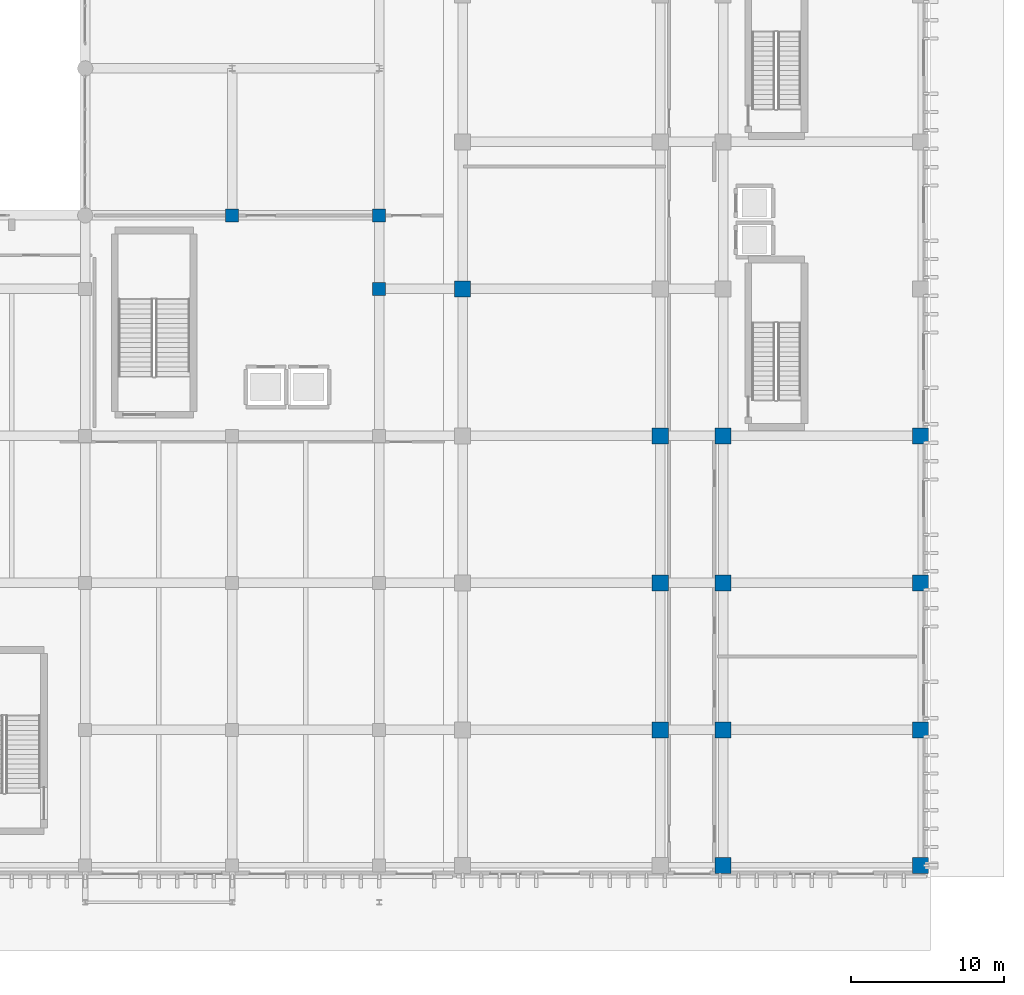
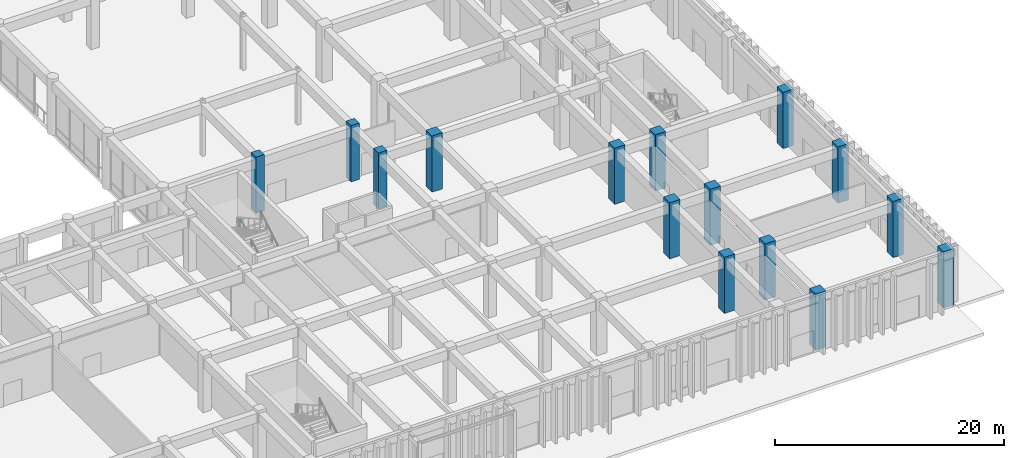
# One storey, part 8 of 87: 15 columns.
"""IFC4 building model written with IfcOpenShell, lengths in metres."""

import ifcopenshell
import ifcopenshell.guid

model = None  # the IFC model being written
_history = None  # IfcOwnerHistory: only IFC2X3 demands one
_inside = {}  # id of a spatial element -> (the spatial element, [elements in it])
_under = {}  # id of a project, library or spatial element -> (it, [spatial elements below it])
_declared = {}  # id of a project -> (the project, [libraries it declares])
_typed = {}  # id of a type object -> (the type object, [elements of that type])
_made_of = {}  # id of a material, layer set ... -> (it, [elements and type objects made of it])


def new_model(schema):
    """Start an empty IFC model of exactly this schema.

    Asked for "IFC4X3", IfcOpenShell would pick the latest addendum, in which some entities
    have other attributes; the version numbers below select the first issue.
    IFC2X3 requires an IfcOwnerHistory on every rooted entity: one is made here for all.
    """
    global model, _history
    if schema == "IFC4X3":
        model = ifcopenshell.file(schema_version=(4, 3, 0, 0))
    else:
        model = ifcopenshell.file(schema=schema)
    _inside.clear()
    _under.clear()
    _declared.clear()
    _typed.clear()
    _made_of.clear()
    _history = None
    if model.schema == "IFC2X3":
        org = make("IfcOrganization", Name="unknown")
        user = make(
            "IfcPersonAndOrganization",
            ThePerson=make("IfcPerson", FamilyName="unknown"),
            TheOrganization=org,
        )
        app = make(
            "IfcApplication",
            ApplicationDeveloper=org,
            Version="unknown",
            ApplicationFullName="unknown",
            ApplicationIdentifier="unknown",
        )
        _history = make(
            "IfcOwnerHistory",
            OwningUser=user,
            OwningApplication=app,
            ChangeAction="ADDED",
            CreationDate=0,
        )
    return model


def make(cls, **values):
    """One entity of the class cls with the attributes given. An attribute that is None is left unset."""
    return model.create_entity(
        cls, **{name: value for name, value in values.items() if value is not None}
    )


def rooted(cls, **values):
    """An entity with a GlobalId (a new one), such as an element, a storey or a relation."""
    return make(cls, GlobalId=ifcopenshell.guid.new(), OwnerHistory=_history, **values)


def si_unit(unit_type, name, prefix=None):
    """IfcSIUnit, for example si_unit("LENGTHUNIT", "METRE", prefix="MILLI")."""
    return make("IfcSIUnit", UnitType=unit_type, Prefix=prefix, Name=name)


def assignment(units):
    """IfcUnitAssignment: the units of a project."""
    return None if units is None else make("IfcUnitAssignment", Units=units)


def point(xyz):
    """IfcCartesianPoint."""
    return None if xyz is None else make("IfcCartesianPoint", Coordinates=xyz)


def direction(xyz):
    """IfcDirection."""
    return None if xyz is None else make("IfcDirection", DirectionRatios=xyz)


def frame(location, z_axis=None, x_axis=None):
    """IfcAxis2Placement3D, a coordinate frame: its origin and axes. An axis left out is left unset."""
    return make(
        "IfcAxis2Placement3D",
        Location=point(location),
        Axis=direction(z_axis),
        RefDirection=direction(x_axis),
    )


def frame_2d(location, x_axis=None):
    """IfcAxis2Placement2D, a coordinate frame in the plane: its origin and x axis."""
    return make(
        "IfcAxis2Placement2D", Location=point(location), RefDirection=direction(x_axis)
    )


def origin():
    """The frame at (0, 0, 0) with its axes left unset."""
    return frame((0.0, 0.0, 0.0))


def origin_2d():
    """The frame at (0, 0) in the plane with its x axis left unset."""
    return frame_2d((0.0, 0.0))


def place(relative_to, where):
    """IfcLocalPlacement: puts the frame where relative to a parent placement (None: the world)."""
    return make(
        "IfcLocalPlacement", PlacementRelTo=relative_to, RelativePlacement=where
    )


def context(
    kind, dimensions, precision=None, world=None, true_north=None, identifier=None
):
    """IfcGeometricRepresentationContext, for example the 3D "Model" context."""
    return make(
        "IfcGeometricRepresentationContext",
        ContextIdentifier=identifier,
        ContextType=kind,
        CoordinateSpaceDimension=dimensions,
        Precision=precision,
        WorldCoordinateSystem=world,
        TrueNorth=true_north,
    )


def subcontext(parent, identifier, kind, view, scale=None):
    """IfcGeometricRepresentationSubContext, for example "Body" below "Model"."""
    return make(
        "IfcGeometricRepresentationSubContext",
        ContextIdentifier=identifier,
        ContextType=kind,
        ParentContext=parent,
        TargetScale=scale,
        TargetView=view,
    )


def project(units=None, contexts=None):
    """IfcProject with its units and contexts."""
    return rooted(
        "IfcProject",
        Name="project",
        RepresentationContexts=contexts,
        UnitsInContext=assignment(units),
    )


def spatial(cls, under=None, at=None, **own):
    """A site, building, storey or space (cls), placed at a placement, below another one or the project."""
    s = rooted(cls, ObjectPlacement=at, **own)
    if under is not None:
        _under.setdefault(under.id(), (under, []))[1].append(s)
    return s


def profile(cls, at=None, kind="AREA", **sizes):
    """A parametric profile (cls). Its sizes go by their IFC names, for example OverallWidth=200.0."""
    return make(cls, ProfileType=kind, Position=at, **sizes)


def rectangle(**sizes):
    """IfcRectangleProfileDef."""
    return profile("IfcRectangleProfileDef", **sizes)


def extrude(swept, where, along, depth):
    """IfcExtrudedAreaSolid: the profile swept, set in the frame where, extruded along a direction by depth."""
    return make(
        "IfcExtrudedAreaSolid",
        SweptArea=swept,
        Position=where,
        ExtrudedDirection=direction(along),
        Depth=depth,
    )


def shape(context_of_items, identifier, shape_type, items):
    """IfcShapeRepresentation: the items that make up one representation, for example the "Body"."""
    return make(
        "IfcShapeRepresentation",
        ContextOfItems=context_of_items,
        RepresentationIdentifier=identifier,
        RepresentationType=shape_type,
        Items=items,
    )


def material(Name=None, Category=None):
    """IfcMaterial."""
    return make("IfcMaterial", Name=Name, Category=Category)


def material_profile(
    of_material, cross_section, Name=None, Category=None, Priority=None
):
    """IfcMaterialProfile: a cross section and its material."""
    return make(
        "IfcMaterialProfile",
        Name=Name,
        Material=of_material,
        Profile=cross_section,
        Priority=Priority,
        Category=Category,
    )


def profile_set(profiles, Name=None, composite=None):
    """IfcMaterialProfileSet."""
    return make(
        "IfcMaterialProfileSet",
        Name=Name,
        MaterialProfiles=profiles,
        CompositeProfile=composite,
    )


def made_of(thing, what):
    """Note that an element or type object is made of a material, layer set ...; save() writes the relation."""
    if what is not None:
        _made_of.setdefault(what.id(), (what, []))[1].append(thing)
    return thing


def type_object(cls, material=None, **own):
    """A type object (cls), such as IfcWallType, which elements share."""
    return made_of(rooted(cls, **own), material)


def element(
    cls,
    number,
    at=None,
    inside=None,
    cuts=None,
    type_object=None,
    material=None,
    context=None,
    identifier="Body",
    shape_type=None,
    held_by="IfcProductDefinitionShape",
    body=None,
    shapes=None,
    **own,
):
    """One element of the class cls, such as IfcWall. Its Tag is "e" and its number.

    at: its placement. inside: the storey or other place that contains it. cuts: it is an
    opening in that element (IfcRelVoidsElement). A single representation is given by context,
    identifier, shape_type and body (its items); several are given by shapes. held_by: the class
    of the entity that holds the representations. save() writes the other relations.
    """
    e = rooted(cls, Tag="e%d" % number, ObjectPlacement=at, **own)
    if body is not None:
        shapes = [shape(context, identifier, shape_type, body)]
    if shapes is not None:
        e.Representation = make(held_by, Representations=shapes)
    if inside is not None:
        _inside.setdefault(inside.id(), (inside, []))[1].append(e)
    if cuts is not None:
        rooted(
            "IfcRelVoidsElement", RelatingBuildingElement=cuts, RelatedOpeningElement=e
        )
    if type_object is not None:
        _typed.setdefault(type_object.id(), (type_object, []))[1].append(e)
    return made_of(e, material)


def aggregate(whole, parts):
    """IfcRelAggregates: a whole, such as a stair, and the parts it consists of."""
    return rooted("IfcRelAggregates", RelatingObject=whole, RelatedObjects=parts)


def save(model, path):
    """Write the relations noted so far, then the file.

    IfcRelAggregates (storeys below a building ...), IfcRelContainedInSpatialStructure (elements
    in a storey), IfcRelDefinesByType, IfcRelAssociatesMaterial and IfcRelDeclares: one each for
    every whole, place, type object, material and project.
    """
    for whole, parts in _under.values():
        aggregate(whole, parts)
    for where, things in _inside.values():
        rooted(
            "IfcRelContainedInSpatialStructure",
            RelatedElements=things,
            RelatingStructure=where,
        )
    for kind, things in _typed.values():
        rooted("IfcRelDefinesByType", RelatedObjects=things, RelatingType=kind)
    for what, things in _made_of.values():
        rooted("IfcRelAssociatesMaterial", RelatedObjects=things, RelatingMaterial=what)
    for by, libraries in _declared.values():
        rooted("IfcRelDeclares", RelatingContext=by, RelatedDefinitions=libraries)
    model.write(path)


model = new_model("IFC4")

# Units and contexts
model_context = context("Model", 3, precision=1e-05, world=origin(), true_north=direction((0.0, 1.0)))
body_context = subcontext(model_context, "Body", "Model", "MODEL_VIEW")
ifc_project = project(units=[si_unit("LENGTHUNIT", "METRE"), si_unit("AREAUNIT", "SQUARE_METRE"), si_unit("VOLUMEUNIT", "CUBIC_METRE"), si_unit("PLANEANGLEUNIT", "RADIAN"), si_unit("MASSUNIT", "GRAM", prefix="KILO")], contexts=[model_context])

# Site, building, storey
site_placement = place(None, origin())
site = spatial("IfcSite", under=ifc_project, at=site_placement, CompositionType="ELEMENT")
building_placement = place(site_placement, origin())
building = spatial("IfcBuilding", under=site, at=building_placement, Name="Nakhvara Creek Congress Hotel", CompositionType="ELEMENT")
storey_placement = place(building_placement, origin())
storey = spatial("IfcBuildingStorey", under=building, at=storey_placement, Name="L00", CompositionType="ELEMENT", Elevation=0.0)

# Columns
ifc_material = material(Name="Concrete C50/60", Category="concrete")
ifc_material_profile_1 = material_profile(ifc_material, rectangle(XDim=1.050048828125, YDim=1.050048828125, at=origin_2d()), Name="RC-COL 1050x1050", Category="LoadBearing")
ifc_profile_set_1 = profile_set([ifc_material_profile_1], Name="Concrete C50/60")
column_type_1 = type_object("IfcColumnType", Name="COL-RC-1050", PredefinedType="COLUMN", material=ifc_profile_set_1)
for number, where, z_axis, x_axis, name in (
    (1, (149.449951171875, 38.39990234375, 0.0), (0.0, 0.0, 1.0), (1.0, 0.0, 0.0), "Column C16-L00-0760"),
    (2, (162.35009765625, 9.60009765625, 0.0), (0.0, 0.0, 1.0), (1.0, 0.0, 0.0), "Column C16-L00-0771"),
    (3, (162.35009765625, 19.199951171875, 0.0), (0.0, 0.0, 1.0), (1.0, 0.0, 0.0), "Column C16-L00-0772"),
    (4, (162.35009765625, 28.800048828125, 0.0), (0.0, 0.0, 1.0), (1.0, 0.0, 0.0), "Column C16-L00-0773"),
    (5, (166.449951171875, 0.75, 0.0), (0.0, 0.0, 1.0), (1.0, 0.0, 0.0), "Column C16-L00-0784"),
    (6, (166.449951171875, 9.60009765625, 0.0), (0.0, 0.0, 1.0), (1.0, 0.0, 0.0), "Column C16-L00-0785"),
    (7, (166.449951171875, 19.199951171875, 0.0), (0.0, 0.0, 1.0), (1.0, 0.0, 0.0), "Column C16-L00-0786"),
    (8, (166.449951171875, 28.800048828125, 0.0), (0.0, 0.0, 1.0), (1.0, 0.0, 0.0), "Column C16-L00-0787"),
    (9, (179.35009765625, 0.75, 0.0), (0.0, 0.0, 1.0), (1.0, 0.0, 0.0), "Column C16-L00-0798"),
    (10, (179.35009765625, 9.60009765625, 0.0), (0.0, 0.0, 1.0), (1.0, 0.0, 0.0), "Column C16-L00-0799"),
    (11, (179.35009765625, 19.199951171875, 0.0), (0.0, 0.0, 1.0), (1.0, 0.0, 0.0), "Column C16-L00-0800"),
    (12, (179.35009765625, 28.800048828125, 0.0), (0.0, 0.0, 1.0), (1.0, 0.0, 0.0), "Column C16-L00-0801"),
):
    element("IfcColumn", number, at=place(storey_placement, frame(where, z_axis=z_axis, x_axis=x_axis)), inside=storey, type_object=column_type_1, Name=name, PredefinedType="COLUMN", context=body_context, shape_type="SweptSolid", body=[
        extrude(rectangle(XDim=1.050048828125, YDim=1.050048828125, at=origin_2d()), origin(), (0.0, 0.0, 1.0), 6.0),
    ])
ifc_material_profile_2 = material_profile(ifc_material, rectangle(XDim=0.85009765625, YDim=0.85009765625, at=origin_2d()), Name="RC-COL 850x850", Category="LoadBearing")
ifc_profile_set_2 = profile_set([ifc_material_profile_2], Name="Concrete C50/60")
column_type_2 = type_object("IfcColumnType", Name="COL-RC-850", PredefinedType="COLUMN", material=ifc_profile_set_2)
for number, where, z_axis, x_axis, name in (
    (13, (134.39990234375, 43.199951171875, 0.0), (0.0, 0.0, 1.0), (1.0, 0.0, 0.0), "Column C18-L00-0722"),
    (14, (144.0, 38.39990234375, 0.0), (0.0, 0.0, 1.0), (1.0, 0.0, 0.0), "Column C18-L00-0732"),
    (15, (144.0, 43.199951171875, 0.0), (0.0, 0.0, 1.0), (1.0, 0.0, 0.0), "Column C18-L00-0733"),
):
    element("IfcColumn", number, at=place(storey_placement, frame(where, z_axis=z_axis, x_axis=x_axis)), inside=storey, type_object=column_type_2, Name=name, PredefinedType="COLUMN", context=body_context, shape_type="SweptSolid", body=[
        extrude(rectangle(XDim=0.85009765625, YDim=0.85009765625, at=origin_2d()), origin(), (0.0, 0.0, 1.0), 6.0),
    ])

save(model, "model.ifc")
